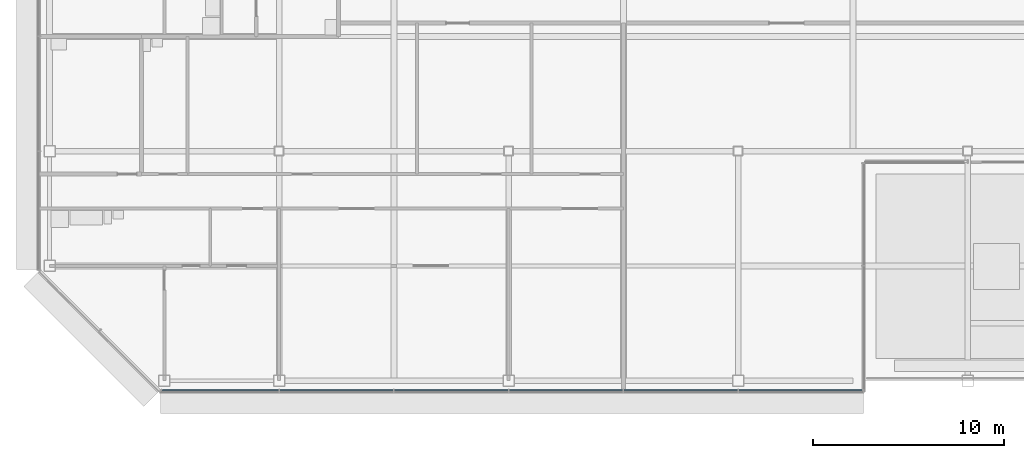
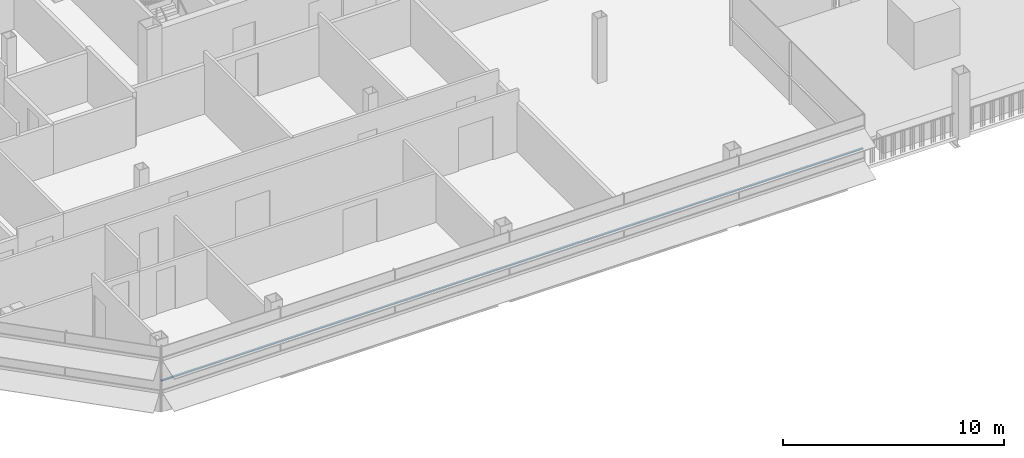
# One storey, part 4 of 30: 1 member, 1 element without a shape of its own.
"""IFC4 building model written with IfcOpenShell, lengths in metres."""

import ifcopenshell
import ifcopenshell.guid

model = None  # the IFC model being written
_history = None  # IfcOwnerHistory: only IFC2X3 demands one
_inside = {}  # id of a spatial element -> (the spatial element, [elements in it])
_under = {}  # id of a project, library or spatial element -> (it, [spatial elements below it])
_declared = {}  # id of a project -> (the project, [libraries it declares])
_typed = {}  # id of a type object -> (the type object, [elements of that type])
_made_of = {}  # id of a material, layer set ... -> (it, [elements and type objects made of it])


def new_model(schema):
    """Start an empty IFC model of exactly this schema.

    Asked for "IFC4X3", IfcOpenShell would pick the latest addendum, in which some entities
    have other attributes; the version numbers below select the first issue.
    IFC2X3 requires an IfcOwnerHistory on every rooted entity: one is made here for all.
    """
    global model, _history
    if schema == "IFC4X3":
        model = ifcopenshell.file(schema_version=(4, 3, 0, 0))
    else:
        model = ifcopenshell.file(schema=schema)
    _inside.clear()
    _under.clear()
    _declared.clear()
    _typed.clear()
    _made_of.clear()
    _history = None
    if model.schema == "IFC2X3":
        org = make("IfcOrganization", Name="unknown")
        user = make(
            "IfcPersonAndOrganization",
            ThePerson=make("IfcPerson", FamilyName="unknown"),
            TheOrganization=org,
        )
        app = make(
            "IfcApplication",
            ApplicationDeveloper=org,
            Version="unknown",
            ApplicationFullName="unknown",
            ApplicationIdentifier="unknown",
        )
        _history = make(
            "IfcOwnerHistory",
            OwningUser=user,
            OwningApplication=app,
            ChangeAction="ADDED",
            CreationDate=0,
        )
    return model


def make(cls, **values):
    """One entity of the class cls with the attributes given. An attribute that is None is left unset."""
    return model.create_entity(
        cls, **{name: value for name, value in values.items() if value is not None}
    )


def rooted(cls, **values):
    """An entity with a GlobalId (a new one), such as an element, a storey or a relation."""
    return make(cls, GlobalId=ifcopenshell.guid.new(), OwnerHistory=_history, **values)


def si_unit(unit_type, name, prefix=None):
    """IfcSIUnit, for example si_unit("LENGTHUNIT", "METRE", prefix="MILLI")."""
    return make("IfcSIUnit", UnitType=unit_type, Prefix=prefix, Name=name)


def assignment(units):
    """IfcUnitAssignment: the units of a project."""
    return None if units is None else make("IfcUnitAssignment", Units=units)


def point(xyz):
    """IfcCartesianPoint."""
    return None if xyz is None else make("IfcCartesianPoint", Coordinates=xyz)


def direction(xyz):
    """IfcDirection."""
    return None if xyz is None else make("IfcDirection", DirectionRatios=xyz)


def frame(location, z_axis=None, x_axis=None):
    """IfcAxis2Placement3D, a coordinate frame: its origin and axes. An axis left out is left unset."""
    return make(
        "IfcAxis2Placement3D",
        Location=point(location),
        Axis=direction(z_axis),
        RefDirection=direction(x_axis),
    )


def frame_2d(location, x_axis=None):
    """IfcAxis2Placement2D, a coordinate frame in the plane: its origin and x axis."""
    return make(
        "IfcAxis2Placement2D", Location=point(location), RefDirection=direction(x_axis)
    )


def origin():
    """The frame at (0, 0, 0) with its axes left unset."""
    return frame((0.0, 0.0, 0.0))


def origin_2d():
    """The frame at (0, 0) in the plane with its x axis left unset."""
    return frame_2d((0.0, 0.0))


def place(relative_to, where):
    """IfcLocalPlacement: puts the frame where relative to a parent placement (None: the world)."""
    return make(
        "IfcLocalPlacement", PlacementRelTo=relative_to, RelativePlacement=where
    )


def context(
    kind, dimensions, precision=None, world=None, true_north=None, identifier=None
):
    """IfcGeometricRepresentationContext, for example the 3D "Model" context."""
    return make(
        "IfcGeometricRepresentationContext",
        ContextIdentifier=identifier,
        ContextType=kind,
        CoordinateSpaceDimension=dimensions,
        Precision=precision,
        WorldCoordinateSystem=world,
        TrueNorth=true_north,
    )


def subcontext(parent, identifier, kind, view, scale=None):
    """IfcGeometricRepresentationSubContext, for example "Body" below "Model"."""
    return make(
        "IfcGeometricRepresentationSubContext",
        ContextIdentifier=identifier,
        ContextType=kind,
        ParentContext=parent,
        TargetScale=scale,
        TargetView=view,
    )


def project(units=None, contexts=None):
    """IfcProject with its units and contexts."""
    return rooted(
        "IfcProject",
        Name="project",
        RepresentationContexts=contexts,
        UnitsInContext=assignment(units),
    )


def spatial(cls, under=None, at=None, **own):
    """A site, building, storey or space (cls), placed at a placement, below another one or the project."""
    s = rooted(cls, ObjectPlacement=at, **own)
    if under is not None:
        _under.setdefault(under.id(), (under, []))[1].append(s)
    return s


def profile(cls, at=None, kind="AREA", **sizes):
    """A parametric profile (cls). Its sizes go by their IFC names, for example OverallWidth=200.0."""
    return make(cls, ProfileType=kind, Position=at, **sizes)


def rectangle(**sizes):
    """IfcRectangleProfileDef."""
    return profile("IfcRectangleProfileDef", **sizes)


def extrude(swept, where, along, depth):
    """IfcExtrudedAreaSolid: the profile swept, set in the frame where, extruded along a direction by depth."""
    return make(
        "IfcExtrudedAreaSolid",
        SweptArea=swept,
        Position=where,
        ExtrudedDirection=direction(along),
        Depth=depth,
    )


def shape(context_of_items, identifier, shape_type, items):
    """IfcShapeRepresentation: the items that make up one representation, for example the "Body"."""
    return make(
        "IfcShapeRepresentation",
        ContextOfItems=context_of_items,
        RepresentationIdentifier=identifier,
        RepresentationType=shape_type,
        Items=items,
    )


def material(Name=None, Category=None):
    """IfcMaterial."""
    return make("IfcMaterial", Name=Name, Category=Category)


def material_profile(
    of_material, cross_section, Name=None, Category=None, Priority=None
):
    """IfcMaterialProfile: a cross section and its material."""
    return make(
        "IfcMaterialProfile",
        Name=Name,
        Material=of_material,
        Profile=cross_section,
        Priority=Priority,
        Category=Category,
    )


def profile_set(profiles, Name=None, composite=None):
    """IfcMaterialProfileSet."""
    return make(
        "IfcMaterialProfileSet",
        Name=Name,
        MaterialProfiles=profiles,
        CompositeProfile=composite,
    )


def made_of(thing, what):
    """Note that an element or type object is made of a material, layer set ...; save() writes the relation."""
    if what is not None:
        _made_of.setdefault(what.id(), (what, []))[1].append(thing)
    return thing


def type_object(cls, material=None, **own):
    """A type object (cls), such as IfcWallType, which elements share."""
    return made_of(rooted(cls, **own), material)


def element(
    cls,
    number,
    at=None,
    inside=None,
    cuts=None,
    type_object=None,
    material=None,
    context=None,
    identifier="Body",
    shape_type=None,
    held_by="IfcProductDefinitionShape",
    body=None,
    shapes=None,
    **own,
):
    """One element of the class cls, such as IfcWall. Its Tag is "e" and its number.

    at: its placement. inside: the storey or other place that contains it. cuts: it is an
    opening in that element (IfcRelVoidsElement). A single representation is given by context,
    identifier, shape_type and body (its items); several are given by shapes. held_by: the class
    of the entity that holds the representations. save() writes the other relations.
    """
    e = rooted(cls, Tag="e%d" % number, ObjectPlacement=at, **own)
    if body is not None:
        shapes = [shape(context, identifier, shape_type, body)]
    if shapes is not None:
        e.Representation = make(held_by, Representations=shapes)
    if inside is not None:
        _inside.setdefault(inside.id(), (inside, []))[1].append(e)
    if cuts is not None:
        rooted(
            "IfcRelVoidsElement", RelatingBuildingElement=cuts, RelatedOpeningElement=e
        )
    if type_object is not None:
        _typed.setdefault(type_object.id(), (type_object, []))[1].append(e)
    return made_of(e, material)


def aggregate(whole, parts):
    """IfcRelAggregates: a whole, such as a stair, and the parts it consists of."""
    return rooted("IfcRelAggregates", RelatingObject=whole, RelatedObjects=parts)


def save(model, path):
    """Write the relations noted so far, then the file.

    IfcRelAggregates (storeys below a building ...), IfcRelContainedInSpatialStructure (elements
    in a storey), IfcRelDefinesByType, IfcRelAssociatesMaterial and IfcRelDeclares: one each for
    every whole, place, type object, material and project.
    """
    for whole, parts in _under.values():
        aggregate(whole, parts)
    for where, things in _inside.values():
        rooted(
            "IfcRelContainedInSpatialStructure",
            RelatedElements=things,
            RelatingStructure=where,
        )
    for kind, things in _typed.values():
        rooted("IfcRelDefinesByType", RelatedObjects=things, RelatingType=kind)
    for what, things in _made_of.values():
        rooted("IfcRelAssociatesMaterial", RelatedObjects=things, RelatingMaterial=what)
    for by, libraries in _declared.values():
        rooted("IfcRelDeclares", RelatingContext=by, RelatedDefinitions=libraries)
    model.write(path)


model = new_model("IFC4")

# Units and contexts
model_context = context("Model", 3, precision=1e-05, world=origin(), true_north=direction((0.0, 1.0)))
body_context = subcontext(model_context, "Body", "Model", "MODEL_VIEW")
ifc_project = project(units=[si_unit("LENGTHUNIT", "METRE"), si_unit("AREAUNIT", "SQUARE_METRE"), si_unit("VOLUMEUNIT", "CUBIC_METRE"), si_unit("PLANEANGLEUNIT", "RADIAN"), si_unit("MASSUNIT", "GRAM", prefix="KILO")], contexts=[model_context])

# Site, building, storey
site_placement = place(None, origin())
site = spatial("IfcSite", under=ifc_project, at=site_placement, CompositionType="ELEMENT")
building_placement = place(site_placement, origin())
building = spatial("IfcBuilding", under=site, at=building_placement, Name="Sorahane Residences", CompositionType="ELEMENT")
storey_placement = place(building_placement, frame((0.0, 0.0, 263.0)))
storey = spatial("IfcBuildingStorey", under=building, at=storey_placement, Name="L62", CompositionType="ELEMENT", Elevation=263.0)

# Curtain wall, member
ifc_material_1 = material(Name="Dark low-e glass and black anodised aluminium", Category="aluminium")
curtain_wall_type = type_object("IfcCurtainWallType", Name="Curtain wall CW-1 Typical unitised wall", PredefinedType="NOTDEFINED", material=ifc_material_1)
curtain_wall_placement = place(storey_placement, origin())
curtain_wall = element("IfcCurtainWall", 1, at=curtain_wall_placement, inside=storey, type_object=curtain_wall_type, Name="CW-1 curtain wall L62 S1", PredefinedType="NOTDEFINED")
ifc_material_2 = material(Name="Black anodised aluminium", Category="aluminium")
ifc_material_profile = material_profile(ifc_material_2, rectangle(XDim=0.10009765625, YDim=0.06005859375, at=origin_2d()), Name="Curtain wall transom CW-1 black anodised aluminium 60x100")
ifc_profile_set = profile_set([ifc_material_profile], Name="Black anodised aluminium")
member_type = type_object("IfcMemberType", Name="Curtain wall transom CW-1 black anodised aluminium 60x100", PredefinedType="USERDEFINED", material=ifc_profile_set)
member_placement = place(storey_placement, frame((-6.198486328125, -0.530029296875, 1.5), z_axis=(1.0, 0.0, 0.0), x_axis=(0.0, 1.0, 0.0)))
member = element("IfcMember", 2, at=member_placement, type_object=member_type, Name="CW-1 transom L62 S1", ObjectType="TRANSOM", PredefinedType="USERDEFINED", context=body_context, shape_type="SweptSolid", body=[
    extrude(rectangle(XDim=0.10009765625, YDim=0.06005859375, at=origin_2d()), origin(), (0.0, 0.0, 1.0), 36.74853515625),
])
aggregate(curtain_wall, [member])

save(model, "model.ifc")
